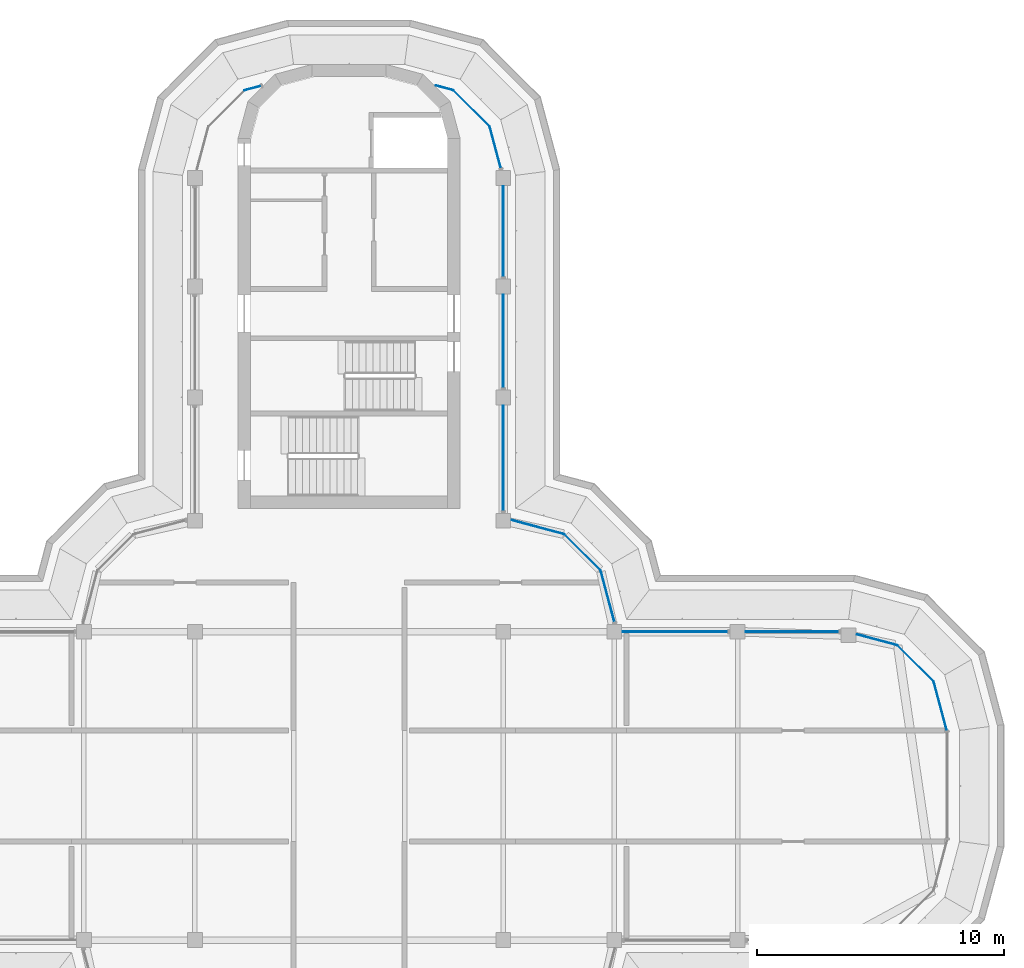
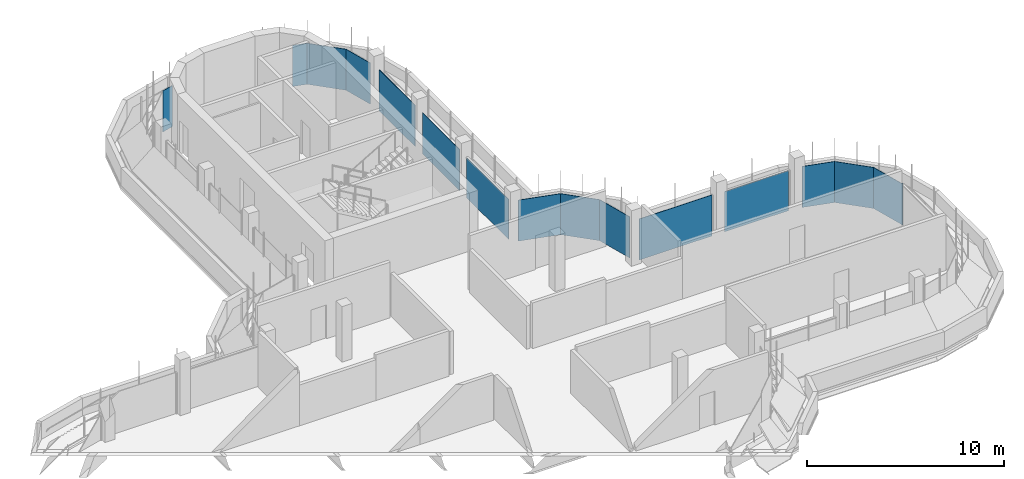
# One storey, part 11 of 19: 15 plates, 12 elements without a shape of their own.
"""IFC4 building model written with IfcOpenShell, lengths in metres."""

from ifc_helpers import new_model, si_unit, direction, frame, origin, place, context, subcontext, project, spatial, polyline, outline, extrude, source, transform, mapped, material, layer, layer_set, type_object, element, aggregate, save


model = new_model("IFC4")

# Units and contexts
model_context = context("Model", 3, precision=1e-05, world=origin(), true_north=direction((0.0, 1.0)))
body_context = subcontext(model_context, "Body", "Model", "MODEL_VIEW")
ifc_project = project(units=[si_unit("LENGTHUNIT", "METRE"), si_unit("AREAUNIT", "SQUARE_METRE"), si_unit("VOLUMEUNIT", "CUBIC_METRE"), si_unit("PLANEANGLEUNIT", "RADIAN"), si_unit("MASSUNIT", "GRAM", prefix="KILO")], contexts=[model_context])

# Site, building, storey
site_placement = place(None, origin())
site = spatial("IfcSite", under=ifc_project, at=site_placement, CompositionType="ELEMENT")
building_placement = place(site_placement, origin())
building = spatial("IfcBuilding", under=site, at=building_placement, Name="Zarbagh Exchange Tower", CompositionType="ELEMENT")
storey_placement = place(building_placement, frame((0.0, 0.0, 295.199951171875)))
storey = spatial("IfcBuildingStorey", under=building, at=storey_placement, Name="L72", CompositionType="ELEMENT", Elevation=295.199951171875)

# Curtain wall, plate
ifc_material_1 = material(Name="Anodised aluminium frame and glazing", Category="aluminium")
curtain_wall_type = type_object("IfcCurtainWallType", Name="CWF Crown tier glazing", PredefinedType="NOTDEFINED", material=ifc_material_1)
curtain_wall_1_placement = place(storey_placement, origin())
curtain_wall_1 = element("IfcCurtainWall", 1, at=curtain_wall_1_placement, inside=storey, type_object=curtain_wall_type, Name="CWF24 curtain wall", PredefinedType="NOTDEFINED")
ifc_material_2 = material(Name="Low-e double glazed unit, 6+12+6 mm")
ifc_layer = layer(ifc_material_2, 0.028076171875)
ifc_layer_set = layer_set([ifc_layer], Name="PAF Glazing panel, Low-e double glazed unit, 6+12+6 mm")
plate_type = type_object("IfcPlateType", Name="PAF Glazing panel, Low-e double glazed unit, 6+12+6 mm", PredefinedType="CURTAIN_PANEL", material=ifc_layer_set)
shared_shape_1 = source(origin(), body_context, "Body", "SweptSolid", [
    extrude(outline(polyline([(0.0, -0.013916015625), (0.697021484375, -0.013916015625), (0.697021484375, 0.013916015625), (0.0, 0.013916015625), (0.0, -0.013916015625)])), origin(), (0.0, 0.0, 1.0), 2.550048828125),
])
placement = place(storey_placement, origin())
plate_1 = element("IfcPlate", 2, at=placement, type_object=plate_type, Name="CWF24 glazing panel 1.1", PredefinedType="CURTAIN_PANEL", context=body_context, shape_type="MappedRepresentation", body=[
    mapped(shared_shape_1, transform((-3.56787109375, 28.379150390625, 0.0), x_axis=(-0.965924289636, -0.258824779902, 0.0), y_axis=(0.258824779902, -0.965924289636, 0.0), z_axis=(0.0, 0.0, 1.0))),
])
aggregate(curtain_wall_1, [plate_1])

curtain_wall_2_placement = place(storey_placement, origin())
curtain_wall_2 = element("IfcCurtainWall", 3, at=curtain_wall_2_placement, inside=storey, type_object=curtain_wall_type, Name="CWF14 curtain wall", PredefinedType="NOTDEFINED")
shared_shape_2 = source(origin(), body_context, "Body", "SweptSolid", [
    extrude(outline(polyline([(0.0, -0.013916015625), (2.061279296875, -0.013916015625), (2.061279296875, 0.013916015625), (0.0, 0.013916015625), (0.0, -0.013916015625)])), origin(), (0.0, 0.0, 1.0), 2.550048828125),
])
plate_2 = element("IfcPlate", 4, at=placement, type_object=plate_type, Name="CWF14 glazing panel 1.1", PredefinedType="CURTAIN_PANEL", context=body_context, shape_type="MappedRepresentation", body=[
    mapped(shared_shape_2, transform((23.69873046875, 4.2412109375, 0.0), x_axis=(-0.707106781187, 0.707106781187, 0.0), y_axis=(-0.707106781187, -0.707106781187, 0.0), z_axis=(0.0, 0.0, 1.0))),
])
aggregate(curtain_wall_2, [plate_2])

curtain_wall_3_placement = place(storey_placement, origin())
curtain_wall_3 = element("IfcCurtainWall", 5, at=curtain_wall_3_placement, inside=storey, type_object=curtain_wall_type, Name="CWF18 curtain wall", PredefinedType="NOTDEFINED")
plate_3 = element("IfcPlate", 6, at=placement, type_object=plate_type, Name="CWF18 glazing panel 1.1", PredefinedType="CURTAIN_PANEL", context=body_context, shape_type="MappedRepresentation", body=[
    mapped(shared_shape_2, transform((10.19873046875, 8.7412109375, 0.0), x_axis=(-0.707106781187, 0.707106781187, 0.0), y_axis=(-0.707106781187, -0.707106781187, 0.0), z_axis=(0.0, 0.0, 1.0))),
])
aggregate(curtain_wall_3, [plate_3])

curtain_wall_4_placement = place(storey_placement, origin())
curtain_wall_4 = element("IfcCurtainWall", 7, at=curtain_wall_4_placement, inside=storey, type_object=curtain_wall_type, Name="CWF22 curtain wall", PredefinedType="NOTDEFINED")
plate_4 = element("IfcPlate", 8, at=placement, type_object=plate_type, Name="CWF22 glazing panel 1.1", PredefinedType="CURTAIN_PANEL", context=body_context, shape_type="MappedRepresentation", body=[
    mapped(shared_shape_2, transform((5.69873046875, 26.7412109375, 0.0), x_axis=(-0.707106781187, 0.707106781187, 0.0), y_axis=(-0.707106781187, -0.707106781187, 0.0), z_axis=(0.0, 0.0, 1.0))),
])
aggregate(curtain_wall_4, [plate_4])

curtain_wall_5_placement = place(storey_placement, origin())
curtain_wall_5 = element("IfcCurtainWall", 9, at=curtain_wall_5_placement, inside=storey, type_object=curtain_wall_type, Name="CWF20 curtain wall", PredefinedType="NOTDEFINED")
shared_shape_3 = source(origin(), body_context, "Body", "SweptSolid", [
    extrude(outline(polyline([(0.0, -0.013916015625), (3.760009765625, -0.013916015625), (3.760009765625, 0.013916015625), (0.0, 0.013916015625), (0.0, -0.013916015625)])), origin(), (0.0, 0.0, 1.0), 2.550048828125),
])
plate_5 = element("IfcPlate", 10, at=placement, type_object=plate_type, Name="CWF20 glazing panel 2.1", PredefinedType="CURTAIN_PANEL", context=body_context, shape_type="MappedRepresentation", body=[
    mapped(shared_shape_3, transform((6.25, 16.150146484375, 0.0), x_axis=(0.0, 1.0, 0.0), y_axis=(-1.0, 0.0, 0.0), z_axis=(0.0, 0.0, 1.0))),
])

curtain_wall_6_placement = place(storey_placement, origin())
curtain_wall_6 = element("IfcCurtainWall", 11, at=curtain_wall_6_placement, inside=storey, type_object=curtain_wall_type, Name="CWF16 curtain wall", PredefinedType="NOTDEFINED")
shared_shape_4 = source(origin(), body_context, "Body", "SweptSolid", [
    extrude(outline(polyline([(0.0, -0.013916015625), (4.260009765625, -0.013916015625), (4.260009765625, 0.013916015625), (0.0, 0.013916015625), (0.0, -0.013916015625)])), origin(), (0.0, 0.0, 1.0), 2.550048828125),
])
plate_6 = element("IfcPlate", 12, at=placement, type_object=plate_type, Name="CWF16 glazing panel 2.1", PredefinedType="CURTAIN_PANEL", context=body_context, shape_type="MappedRepresentation", body=[
    mapped(shared_shape_4, transform((15.349853515625, 6.25, 0.0), x_axis=(-1.0, 0.0, 0.0), y_axis=(0.0, -1.0, 0.0), z_axis=(0.0, 0.0, 1.0))),
])

curtain_wall_7_placement = place(storey_placement, origin())
curtain_wall_7 = element("IfcCurtainWall", 13, at=curtain_wall_7_placement, inside=storey, type_object=curtain_wall_type, Name="CWF17 curtain wall", PredefinedType="NOTDEFINED")
shared_shape_5 = source(origin(), body_context, "Body", "SweptSolid", [
    extrude(outline(polyline([(0.0, -0.013916015625), (2.1669921875, -0.013916015625), (2.1669921875, 0.013916015625), (0.0, 0.013916015625), (0.0, -0.013916015625)])), origin(), (0.0, 0.0, 1.0), 2.550048828125),
])
plate_7 = element("IfcPlate", 14, at=placement, type_object=plate_type, Name="CWF17 glazing panel 1.1", PredefinedType="CURTAIN_PANEL", context=body_context, shape_type="MappedRepresentation", body=[
    mapped(shared_shape_5, transform((10.759765625, 6.64794921875, 0.0), x_axis=(-0.258824779902, 0.965924289636, 0.0), y_axis=(-0.965924289636, -0.258824779902, 0.0), z_axis=(0.0, 0.0, 1.0))),
])
aggregate(curtain_wall_7, [plate_7])

curtain_wall_8_placement = place(storey_placement, origin())
curtain_wall_8 = element("IfcCurtainWall", 15, at=curtain_wall_8_placement, inside=storey, type_object=curtain_wall_type, Name="CWF19 curtain wall", PredefinedType="NOTDEFINED")
shared_shape_6 = source(origin(), body_context, "Body", "SweptSolid", [
    extrude(outline(polyline([(0.0, -0.013916015625), (2.22705078125, -0.013916015625), (2.22705078125, 0.013916015625), (0.0, 0.013916015625), (0.0, -0.013916015625)])), origin(), (0.0, 0.0, 1.0), 2.550048828125),
])
plate_8 = element("IfcPlate", 16, at=placement, type_object=plate_type, Name="CWF19 glazing panel 1.1", PredefinedType="CURTAIN_PANEL", context=body_context, shape_type="MappedRepresentation", body=[
    mapped(shared_shape_6, transform((8.7412109375, 10.19873046875, 0.0), x_axis=(-0.965924289636, 0.258824779902, 0.0), y_axis=(-0.258824779902, -0.965924289636, 0.0), z_axis=(0.0, 0.0, 1.0))),
])
aggregate(curtain_wall_8, [plate_8])

# Plate
shared_shape_7 = source(origin(), body_context, "Body", "SweptSolid", [
    extrude(outline(polyline([(0.0, -0.013916015625), (4.260009765625, -0.013916015625), (4.260009765625, 0.013916015625), (0.0, 0.013916015625), (0.0, -0.013916015625)])), origin(), (0.0, 0.0, 1.0), 2.489990234375),
])
plate_9 = element("IfcPlate", 17, at=placement, type_object=plate_type, Name="CWF20 glazing panel 1.1", PredefinedType="CURTAIN_PANEL", context=body_context, shape_type="MappedRepresentation", body=[
    mapped(shared_shape_7, transform((6.25, 11.150146484375, 0.0), x_axis=(0.0, 1.0, 0.0), y_axis=(-1.0, 0.0, 0.0), z_axis=(0.0, 0.0, 1.0))),
])

# Curtain wall, plate
curtain_wall_9_placement = place(storey_placement, origin())
curtain_wall_9 = element("IfcCurtainWall", 18, at=curtain_wall_9_placement, inside=storey, type_object=curtain_wall_type, Name="CWF13 curtain wall", PredefinedType="NOTDEFINED")
shared_shape_8 = source(origin(), body_context, "Body", "SweptSolid", [
    extrude(outline(polyline([(0.0, -0.013916015625), (2.069580078125, -0.013916015625), (2.069580078125, 0.013916015625), (0.0, 0.013916015625), (0.0, -0.013916015625)])), origin(), (0.0, 0.0, 1.0), 2.550048828125),
])
plate_10 = element("IfcPlate", 19, at=placement, type_object=plate_type, Name="CWF13 glazing panel 1.1", PredefinedType="CURTAIN_PANEL", context=body_context, shape_type="MappedRepresentation", body=[
    mapped(shared_shape_8, transform((24.234375, 2.2421875, 0.0), x_axis=(-0.258824779902, 0.965924289636, 0.0), y_axis=(-0.965924289636, -0.258824779902, 0.0), z_axis=(0.0, 0.0, 1.0))),
])
aggregate(curtain_wall_9, [plate_10])

curtain_wall_10_placement = place(storey_placement, origin())
curtain_wall_10 = element("IfcCurtainWall", 20, at=curtain_wall_10_placement, inside=storey, type_object=curtain_wall_type, Name="CWF15 curtain wall", PredefinedType="NOTDEFINED")
shared_shape_9 = source(origin(), body_context, "Body", "SweptSolid", [
    extrude(outline(polyline([(0.0, -0.013916015625), (1.70947265625, -0.013916015625), (1.70947265625, 0.013916015625), (0.0, 0.013916015625), (0.0, -0.013916015625)])), origin(), (0.0, 0.0, 1.0), 2.550048828125),
])
plate_11 = element("IfcPlate", 21, at=placement, type_object=plate_type, Name="CWF15 glazing panel 1.1", PredefinedType="CURTAIN_PANEL", context=body_context, shape_type="MappedRepresentation", body=[
    mapped(shared_shape_9, transform((22.2412109375, 5.69873046875, 0.0), x_axis=(-0.965924289636, 0.258824779902, 0.0), y_axis=(-0.258824779902, -0.965924289636, 0.0), z_axis=(0.0, 0.0, 1.0))),
])
aggregate(curtain_wall_10, [plate_11])

# Plate
shared_shape_10 = source(origin(), body_context, "Body", "SweptSolid", [
    extrude(outline(polyline([(0.0, -0.013916015625), (3.760009765625, -0.013916015625), (3.760009765625, 0.013916015625), (0.0, 0.013916015625), (0.0, -0.013916015625)])), origin(), (0.0, 0.0, 1.0), 2.489990234375),
])
plate_12 = element("IfcPlate", 22, at=placement, type_object=plate_type, Name="CWF16 glazing panel 1.1", PredefinedType="CURTAIN_PANEL", context=body_context, shape_type="MappedRepresentation", body=[
    mapped(shared_shape_10, transform((19.849853515625, 6.25, 0.0), x_axis=(-1.0, 0.0, 0.0), y_axis=(0.0, -1.0, 0.0), z_axis=(0.0, 0.0, 1.0))),
])

aggregate(curtain_wall_6, [plate_12, plate_6])

shared_shape_11 = source(origin(), body_context, "Body", "SweptSolid", [
    extrude(outline(polyline([(0.0, -0.013916015625), (3.659912109375, -0.013916015625), (3.659912109375, 0.013916015625), (0.0, 0.013916015625), (0.0, -0.013916015625)])), origin(), (0.0, 0.0, 1.0), 2.550048828125),
])
plate_13 = element("IfcPlate", 23, at=placement, type_object=plate_type, Name="CWF20 glazing panel 3.1", PredefinedType="CURTAIN_PANEL", context=body_context, shape_type="MappedRepresentation", body=[
    mapped(shared_shape_11, transform((6.25, 20.650146484375, 0.0), x_axis=(0.0, 1.0, 0.0), y_axis=(-1.0, 0.0, 0.0), z_axis=(0.0, 0.0, 1.0))),
])

aggregate(curtain_wall_5, [plate_9, plate_5, plate_13])

# Curtain wall, plate
curtain_wall_11_placement = place(storey_placement, origin())
curtain_wall_11 = element("IfcCurtainWall", 24, at=curtain_wall_11_placement, inside=storey, type_object=curtain_wall_type, Name="CWF21 curtain wall", PredefinedType="NOTDEFINED")
shared_shape_12 = source(origin(), body_context, "Body", "SweptSolid", [
    extrude(outline(polyline([(0.0, -0.013916015625), (1.7529296875, -0.013916015625), (1.7529296875, 0.013916015625), (0.0, 0.013916015625), (0.0, -0.013916015625)])), origin(), (0.0, 0.0, 1.0), 2.550048828125),
])
plate_14 = element("IfcPlate", 25, at=placement, type_object=plate_type, Name="CWF21 glazing panel 1.1", PredefinedType="CURTAIN_PANEL", context=body_context, shape_type="MappedRepresentation", body=[
    mapped(shared_shape_12, transform((6.152587890625, 25.0478515625, 0.0), x_axis=(-0.258824779902, 0.965924289636, 0.0), y_axis=(-0.965924289636, -0.258824779902, 0.0), z_axis=(0.0, 0.0, 1.0))),
])
aggregate(curtain_wall_11, [plate_14])

curtain_wall_12_placement = place(storey_placement, origin())
curtain_wall_12 = element("IfcCurtainWall", 26, at=curtain_wall_12_placement, inside=storey, type_object=curtain_wall_type, Name="CWF23 curtain wall", PredefinedType="NOTDEFINED")
shared_shape_13 = source(origin(), body_context, "Body", "SweptSolid", [
    extrude(outline(polyline([(0.0, -0.013916015625), (0.757080078125, -0.013916015625), (0.757080078125, 0.013916015625), (0.0, 0.013916015625), (0.0, -0.013916015625)])), origin(), (0.0, 0.0, 1.0), 2.550048828125),
])
plate_15 = element("IfcPlate", 27, at=placement, type_object=plate_type, Name="CWF23 glazing panel 1.1", PredefinedType="CURTAIN_PANEL", context=body_context, shape_type="MappedRepresentation", body=[
    mapped(shared_shape_13, transform((4.2412109375, 28.19873046875, 0.0), x_axis=(-0.965924289636, 0.258824779902, 0.0), y_axis=(-0.258824779902, -0.965924289636, 0.0), z_axis=(0.0, 0.0, 1.0))),
])
aggregate(curtain_wall_12, [plate_15])

save(model, "model.ifc")
